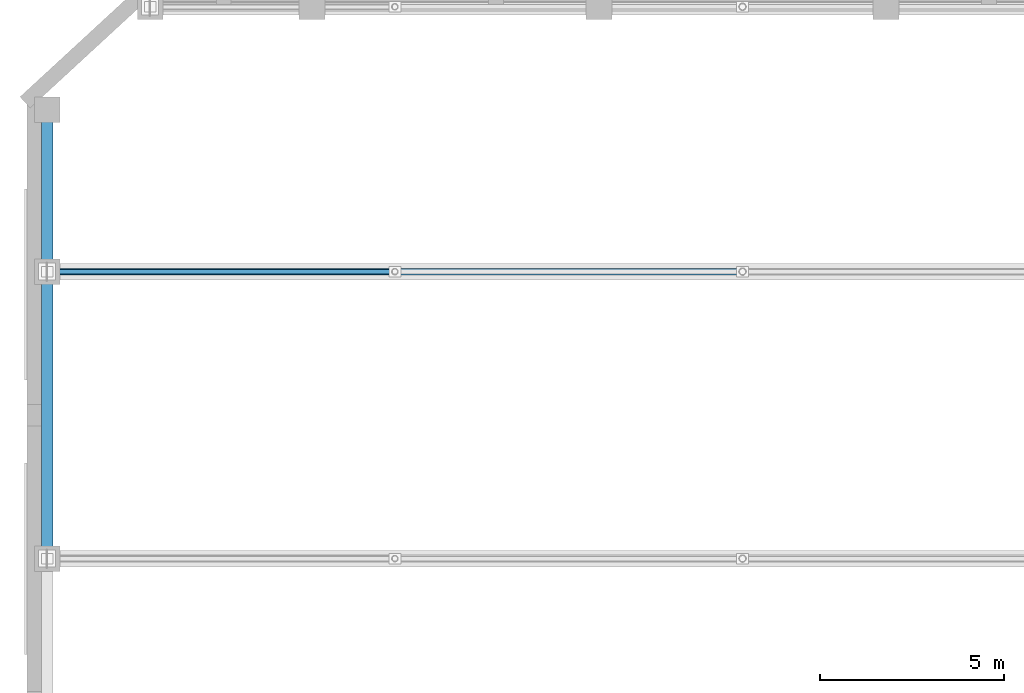
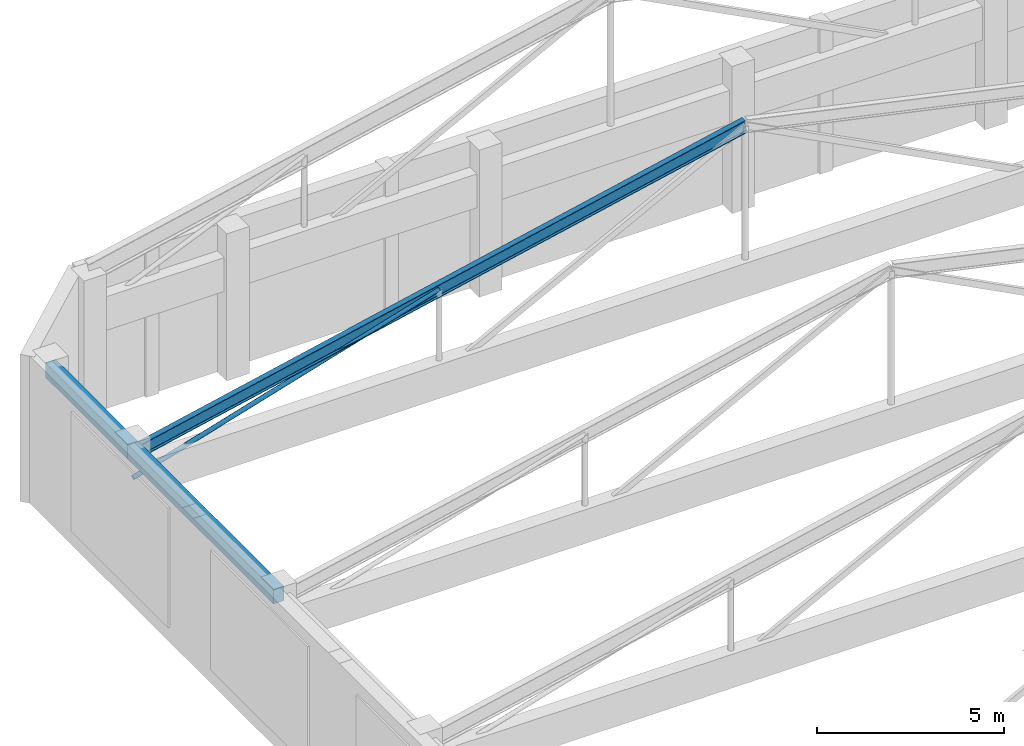
# One storey, part 33 of 105: 3 beams, 1 member.
"""IFC4 building model written with IfcOpenShell, lengths in metres."""

import ifcopenshell
import ifcopenshell.guid

model = None  # the IFC model being written
_history = None  # IfcOwnerHistory: only IFC2X3 demands one
_inside = {}  # id of a spatial element -> (the spatial element, [elements in it])
_under = {}  # id of a project, library or spatial element -> (it, [spatial elements below it])
_declared = {}  # id of a project -> (the project, [libraries it declares])
_typed = {}  # id of a type object -> (the type object, [elements of that type])
_made_of = {}  # id of a material, layer set ... -> (it, [elements and type objects made of it])


def new_model(schema):
    """Start an empty IFC model of exactly this schema.

    Asked for "IFC4X3", IfcOpenShell would pick the latest addendum, in which some entities
    have other attributes; the version numbers below select the first issue.
    IFC2X3 requires an IfcOwnerHistory on every rooted entity: one is made here for all.
    """
    global model, _history
    if schema == "IFC4X3":
        model = ifcopenshell.file(schema_version=(4, 3, 0, 0))
    else:
        model = ifcopenshell.file(schema=schema)
    _inside.clear()
    _under.clear()
    _declared.clear()
    _typed.clear()
    _made_of.clear()
    _history = None
    if model.schema == "IFC2X3":
        org = make("IfcOrganization", Name="unknown")
        user = make(
            "IfcPersonAndOrganization",
            ThePerson=make("IfcPerson", FamilyName="unknown"),
            TheOrganization=org,
        )
        app = make(
            "IfcApplication",
            ApplicationDeveloper=org,
            Version="unknown",
            ApplicationFullName="unknown",
            ApplicationIdentifier="unknown",
        )
        _history = make(
            "IfcOwnerHistory",
            OwningUser=user,
            OwningApplication=app,
            ChangeAction="ADDED",
            CreationDate=0,
        )
    return model


def make(cls, **values):
    """One entity of the class cls with the attributes given. An attribute that is None is left unset."""
    return model.create_entity(
        cls, **{name: value for name, value in values.items() if value is not None}
    )


def rooted(cls, **values):
    """An entity with a GlobalId (a new one), such as an element, a storey or a relation."""
    return make(cls, GlobalId=ifcopenshell.guid.new(), OwnerHistory=_history, **values)


def si_unit(unit_type, name, prefix=None):
    """IfcSIUnit, for example si_unit("LENGTHUNIT", "METRE", prefix="MILLI")."""
    return make("IfcSIUnit", UnitType=unit_type, Prefix=prefix, Name=name)


def assignment(units):
    """IfcUnitAssignment: the units of a project."""
    return None if units is None else make("IfcUnitAssignment", Units=units)


def point(xyz):
    """IfcCartesianPoint."""
    return None if xyz is None else make("IfcCartesianPoint", Coordinates=xyz)


def direction(xyz):
    """IfcDirection."""
    return None if xyz is None else make("IfcDirection", DirectionRatios=xyz)


def frame(location, z_axis=None, x_axis=None):
    """IfcAxis2Placement3D, a coordinate frame: its origin and axes. An axis left out is left unset."""
    return make(
        "IfcAxis2Placement3D",
        Location=point(location),
        Axis=direction(z_axis),
        RefDirection=direction(x_axis),
    )


def frame_2d(location, x_axis=None):
    """IfcAxis2Placement2D, a coordinate frame in the plane: its origin and x axis."""
    return make(
        "IfcAxis2Placement2D", Location=point(location), RefDirection=direction(x_axis)
    )


def origin():
    """The frame at (0, 0, 0) with its axes left unset."""
    return frame((0.0, 0.0, 0.0))


def origin_2d():
    """The frame at (0, 0) in the plane with its x axis left unset."""
    return frame_2d((0.0, 0.0))


def place(relative_to, where):
    """IfcLocalPlacement: puts the frame where relative to a parent placement (None: the world)."""
    return make(
        "IfcLocalPlacement", PlacementRelTo=relative_to, RelativePlacement=where
    )


def context(
    kind, dimensions, precision=None, world=None, true_north=None, identifier=None
):
    """IfcGeometricRepresentationContext, for example the 3D "Model" context."""
    return make(
        "IfcGeometricRepresentationContext",
        ContextIdentifier=identifier,
        ContextType=kind,
        CoordinateSpaceDimension=dimensions,
        Precision=precision,
        WorldCoordinateSystem=world,
        TrueNorth=true_north,
    )


def subcontext(parent, identifier, kind, view, scale=None):
    """IfcGeometricRepresentationSubContext, for example "Body" below "Model"."""
    return make(
        "IfcGeometricRepresentationSubContext",
        ContextIdentifier=identifier,
        ContextType=kind,
        ParentContext=parent,
        TargetScale=scale,
        TargetView=view,
    )


def project(units=None, contexts=None):
    """IfcProject with its units and contexts."""
    return rooted(
        "IfcProject",
        Name="project",
        RepresentationContexts=contexts,
        UnitsInContext=assignment(units),
    )


def spatial(cls, under=None, at=None, **own):
    """A site, building, storey or space (cls), placed at a placement, below another one or the project."""
    s = rooted(cls, ObjectPlacement=at, **own)
    if under is not None:
        _under.setdefault(under.id(), (under, []))[1].append(s)
    return s


def profile(cls, at=None, kind="AREA", **sizes):
    """A parametric profile (cls). Its sizes go by their IFC names, for example OverallWidth=200.0."""
    return make(cls, ProfileType=kind, Position=at, **sizes)


def rectangle(**sizes):
    """IfcRectangleProfileDef."""
    return profile("IfcRectangleProfileDef", **sizes)


def hollow_circle(**sizes):
    """IfcCircleHollowProfileDef."""
    return profile("IfcCircleHollowProfileDef", **sizes)


def i_section(**sizes):
    """IfcIShapeProfileDef."""
    return profile("IfcIShapeProfileDef", **sizes)


def extrude(swept, where, along, depth):
    """IfcExtrudedAreaSolid: the profile swept, set in the frame where, extruded along a direction by depth."""
    return make(
        "IfcExtrudedAreaSolid",
        SweptArea=swept,
        Position=where,
        ExtrudedDirection=direction(along),
        Depth=depth,
    )


def shape(context_of_items, identifier, shape_type, items):
    """IfcShapeRepresentation: the items that make up one representation, for example the "Body"."""
    return make(
        "IfcShapeRepresentation",
        ContextOfItems=context_of_items,
        RepresentationIdentifier=identifier,
        RepresentationType=shape_type,
        Items=items,
    )


def material(Name=None, Category=None):
    """IfcMaterial."""
    return make("IfcMaterial", Name=Name, Category=Category)


def material_profile(
    of_material, cross_section, Name=None, Category=None, Priority=None
):
    """IfcMaterialProfile: a cross section and its material."""
    return make(
        "IfcMaterialProfile",
        Name=Name,
        Material=of_material,
        Profile=cross_section,
        Priority=Priority,
        Category=Category,
    )


def profile_set(profiles, Name=None, composite=None):
    """IfcMaterialProfileSet."""
    return make(
        "IfcMaterialProfileSet",
        Name=Name,
        MaterialProfiles=profiles,
        CompositeProfile=composite,
    )


def made_of(thing, what):
    """Note that an element or type object is made of a material, layer set ...; save() writes the relation."""
    if what is not None:
        _made_of.setdefault(what.id(), (what, []))[1].append(thing)
    return thing


def type_object(cls, material=None, **own):
    """A type object (cls), such as IfcWallType, which elements share."""
    return made_of(rooted(cls, **own), material)


def element(
    cls,
    number,
    at=None,
    inside=None,
    cuts=None,
    type_object=None,
    material=None,
    context=None,
    identifier="Body",
    shape_type=None,
    held_by="IfcProductDefinitionShape",
    body=None,
    shapes=None,
    **own,
):
    """One element of the class cls, such as IfcWall. Its Tag is "e" and its number.

    at: its placement. inside: the storey or other place that contains it. cuts: it is an
    opening in that element (IfcRelVoidsElement). A single representation is given by context,
    identifier, shape_type and body (its items); several are given by shapes. held_by: the class
    of the entity that holds the representations. save() writes the other relations.
    """
    e = rooted(cls, Tag="e%d" % number, ObjectPlacement=at, **own)
    if body is not None:
        shapes = [shape(context, identifier, shape_type, body)]
    if shapes is not None:
        e.Representation = make(held_by, Representations=shapes)
    if inside is not None:
        _inside.setdefault(inside.id(), (inside, []))[1].append(e)
    if cuts is not None:
        rooted(
            "IfcRelVoidsElement", RelatingBuildingElement=cuts, RelatedOpeningElement=e
        )
    if type_object is not None:
        _typed.setdefault(type_object.id(), (type_object, []))[1].append(e)
    return made_of(e, material)


def aggregate(whole, parts):
    """IfcRelAggregates: a whole, such as a stair, and the parts it consists of."""
    return rooted("IfcRelAggregates", RelatingObject=whole, RelatedObjects=parts)


def save(model, path):
    """Write the relations noted so far, then the file.

    IfcRelAggregates (storeys below a building ...), IfcRelContainedInSpatialStructure (elements
    in a storey), IfcRelDefinesByType, IfcRelAssociatesMaterial and IfcRelDeclares: one each for
    every whole, place, type object, material and project.
    """
    for whole, parts in _under.values():
        aggregate(whole, parts)
    for where, things in _inside.values():
        rooted(
            "IfcRelContainedInSpatialStructure",
            RelatedElements=things,
            RelatingStructure=where,
        )
    for kind, things in _typed.values():
        rooted("IfcRelDefinesByType", RelatedObjects=things, RelatingType=kind)
    for what, things in _made_of.values():
        rooted("IfcRelAssociatesMaterial", RelatedObjects=things, RelatingMaterial=what)
    for by, libraries in _declared.values():
        rooted("IfcRelDeclares", RelatingContext=by, RelatedDefinitions=libraries)
    model.write(path)


model = new_model("IFC4")

# Units and contexts
model_context = context("Model", 3, precision=1e-05, world=origin(), true_north=direction((0.0, 1.0)))
body_context = subcontext(model_context, "Body", "Model", "MODEL_VIEW")
ifc_project = project(units=[si_unit("LENGTHUNIT", "METRE"), si_unit("AREAUNIT", "SQUARE_METRE"), si_unit("VOLUMEUNIT", "CUBIC_METRE"), si_unit("PLANEANGLEUNIT", "RADIAN"), si_unit("MASSUNIT", "GRAM", prefix="KILO")], contexts=[model_context])

# Site, building, storey
site_placement = place(None, origin())
site = spatial("IfcSite", under=ifc_project, at=site_placement, CompositionType="ELEMENT")
building_placement = place(site_placement, origin())
building = spatial("IfcBuilding", under=site, at=building_placement, Name="Pelvatis Terrace Science Centre", CompositionType="ELEMENT")
storey_placement = place(building_placement, frame((0.0, 0.0, 10.199951171875)))
storey = spatial("IfcBuildingStorey", under=building, at=storey_placement, Name="L02", CompositionType="ELEMENT", Elevation=10.199951171875)

# Beams
ifc_material_1 = material(Name="Concrete C35/45", Category="concrete")
ifc_material_profile_1 = material_profile(ifc_material_1, rectangle(XDim=0.320068359375, YDim=0.47998046875, at=origin_2d()), Name="RC-BM 320x480")
ifc_profile_set_1 = profile_set([ifc_material_profile_1], Name="Concrete C35/45")
beam_type_1 = type_object("IfcBeamType", Name="BM-RC-320x480", PredefinedType="BEAM", material=ifc_profile_set_1)
beam_1_placement = place(storey_placement, frame((8.39990234375, 101.39990234375, 4.300048828125), z_axis=(0.0, 1.0, 0.0), x_axis=(-1.0, 0.0, 0.0)))
element("IfcBeam", 1, at=beam_1_placement, inside=storey, type_object=beam_type_1, Name="Beam BM-L02-2885", PredefinedType="BEAM", context=body_context, shape_type="SweptSolid", body=[
    extrude(rectangle(XDim=0.320068359375, YDim=0.47998046875, at=origin_2d()), origin(), (0.0, 0.0, 1.0), 7.800048828125),
])
beam_2_placement = place(storey_placement, frame((8.39990234375, 109.199951171875, 4.300048828125), z_axis=(0.0, 1.0, 0.0), x_axis=(-1.0, 0.0, 0.0)))
element("IfcBeam", 2, at=beam_2_placement, inside=storey, type_object=beam_type_1, Name="Beam BM-L02-2886", PredefinedType="BEAM", context=body_context, shape_type="SweptSolid", body=[
    extrude(rectangle(XDim=0.320068359375, YDim=0.47998046875, at=origin_2d()), origin(), (0.0, 0.0, 1.0), 4.400146484375),
])
ifc_material_2 = material(Name="Structural steel S355", Category="steel")
ifc_material_profile_2 = material_profile(ifc_material_2, i_section(OverallWidth=0.179931640625, OverallDepth=0.4130859375, WebThickness=0.009765625, FlangeThickness=0.01611328125, FilletRadius=0.011962890625, at=origin_2d()), Name="W410x75")
ifc_profile_set_2 = profile_set([ifc_material_profile_2], Name="Structural steel S355")
beam_type_2 = type_object("IfcBeamType", Name="BM-STL-W410x75", PredefinedType="BEAM", material=ifc_profile_set_2)
beam_3_placement = place(storey_placement, frame((8.39990234375, 109.199951171875, 4.199951171875), z_axis=(0.977268898486, 0.0, 0.212003537831), x_axis=(0.0, 1.0, 0.0)))
element("IfcBeam", 3, at=beam_3_placement, inside=storey, type_object=beam_type_2, Name="Theatre roof truss 6 west top girder", PredefinedType="BEAM", context=body_context, shape_type="SweptSolid", body=[
    extrude(i_section(OverallWidth=0.179931640625, OverallDepth=0.4130859375, WebThickness=0.009765625, FlangeThickness=0.01611328125, FilletRadius=0.011962890625, at=origin_2d()), origin(), (0.0, 0.0, 1.0), 19.33984375),
])

# Member
ifc_material_3 = material(Name="Structural steel S355", Category="steel")
ifc_material_profile_3 = material_profile(ifc_material_3, hollow_circle(Radius=0.06982421875, WallThickness=0.0048828125, at=origin_2d()), Name="CHS 139.7x5.0")
ifc_profile_set_3 = profile_set([ifc_material_profile_3], Name="Structural steel S355")
member_type = type_object("IfcMemberType", Name="MEM-BRC-CHS140", PredefinedType="BRACE", material=ifc_profile_set_3)
member_placement = place(storey_placement, frame((8.39990234375, 109.199951171875, 3.400146484375), z_axis=(0.95741275829, 0.0, 0.288722722112), x_axis=(0.0, 1.0, 0.0)))
element("IfcMember", 4, at=member_placement, inside=storey, type_object=member_type, Name="Theatre truss 6 web 3", PredefinedType="BRACE", context=body_context, shape_type="SweptSolid", body=[
    extrude(hollow_circle(Radius=0.06982421875, WallThickness=0.0048828125, at=origin_2d()), origin(), (0.0, 0.0, 1.0), 9.87060546875),
])

save(model, "model.ifc")
